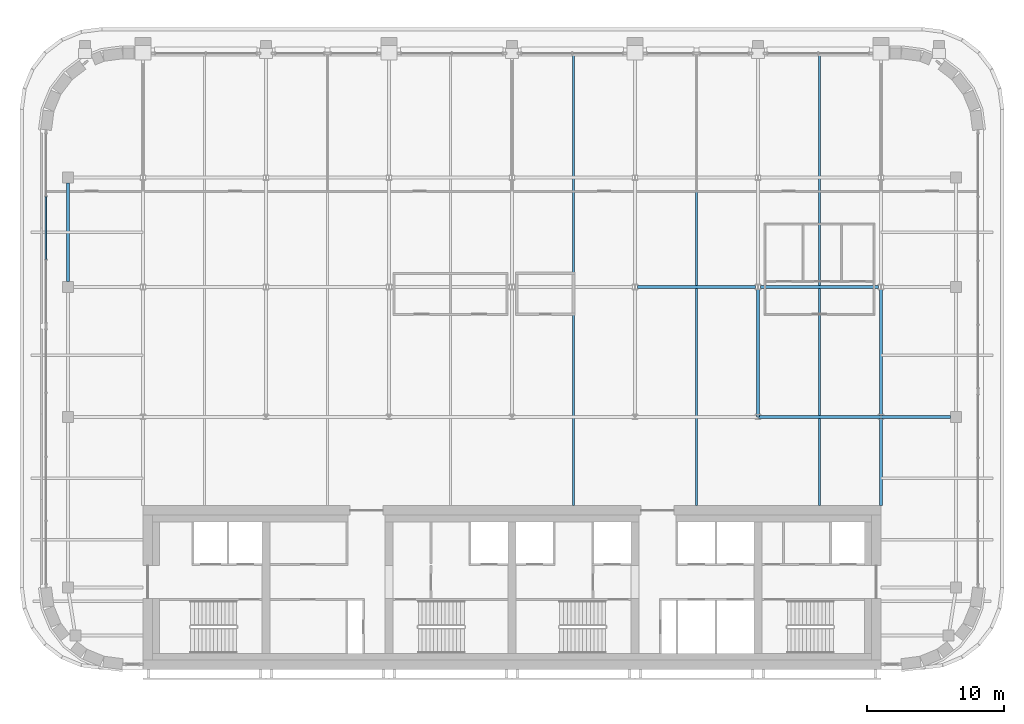
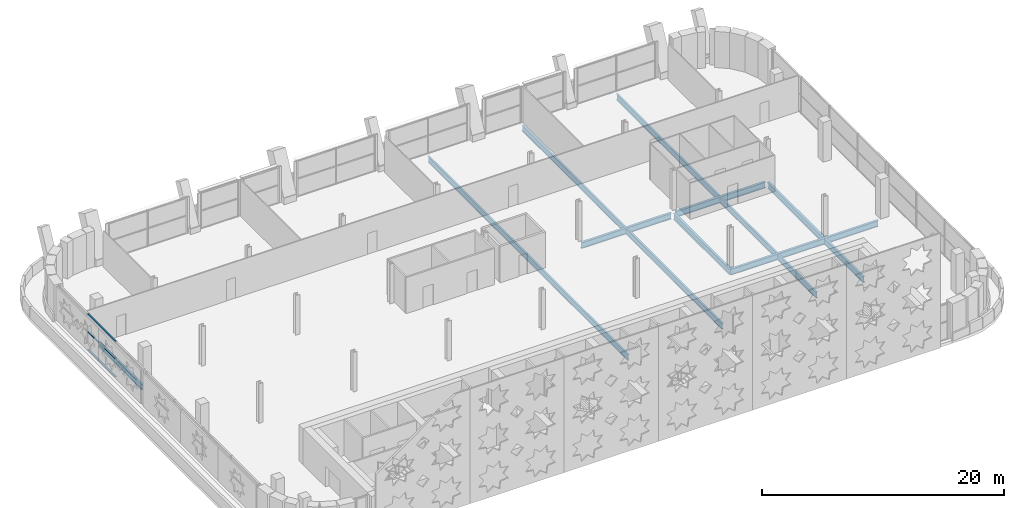
# One storey, part 8 of 25: 9 beams, 3 members, 1 element without a shape of its own.
"""IFC4 building model written with IfcOpenShell, lengths in metres."""

from ifc_helpers import new_model, si_unit, direction, frame, origin, origin_2d, place, context, subcontext, project, spatial, rectangle, i_section, extrude, material, material_profile, profile_set, type_object, element, aggregate, save


model = new_model("IFC4")

# Units and contexts
model_context = context("Model", 3, precision=1e-05, world=origin(), true_north=direction((0.0, 1.0)))
body_context = subcontext(model_context, "Body", "Model", "MODEL_VIEW")
ifc_project = project(units=[si_unit("LENGTHUNIT", "METRE"), si_unit("AREAUNIT", "SQUARE_METRE"), si_unit("VOLUMEUNIT", "CUBIC_METRE"), si_unit("PLANEANGLEUNIT", "RADIAN"), si_unit("MASSUNIT", "GRAM", prefix="KILO")], contexts=[model_context])

# Site, building, storey
site_placement = place(None, origin())
site = spatial("IfcSite", under=ifc_project, at=site_placement, CompositionType="ELEMENT")
building_placement = place(site_placement, origin())
building = spatial("IfcBuilding", under=site, at=building_placement, Name="Zellij Exchange Tower", CompositionType="ELEMENT")
storey_placement = place(building_placement, frame((0.0, 0.0, 264.5)))
storey = spatial("IfcBuildingStorey", under=building, at=storey_placement, Name="L62", CompositionType="ELEMENT", Elevation=264.5)

# Curtain wall, members
ifc_material_1 = material(Name="Aluminium frame, clear insulating glass", Category="aluminium")
curtain_wall_type = type_object("IfcCurtainWallType", Name="ENV-CW6 Sky-lobby glazing", PredefinedType="NOTDEFINED", material=ifc_material_1)
curtain_wall_placement = place(storey_placement, origin())
curtain_wall = element("IfcCurtainWall", 1, at=curtain_wall_placement, inside=storey, type_object=curtain_wall_type, Name="cw.L62.21a", PredefinedType="NOTDEFINED")
ifc_material_2 = material(Name="Aluminium", Category="aluminium")
ifc_material_profile_1 = material_profile(ifc_material_2, rectangle(XDim=0.139892578125, YDim=0.06005859375, at=origin_2d()), Name="AL 140x60")
ifc_profile_set_1 = profile_set([ifc_material_profile_1], Name="Aluminium")
member_type = type_object("IfcMemberType", Name="ENV-CW6T Transom 140x60", PredefinedType="USERDEFINED", material=ifc_profile_set_1)
member_1_placement = place(storey_placement, frame((-34.10009765625, 20.598876953125, 0.030029296875), z_axis=(0.0, -1.0, 0.0), x_axis=(1.0, 0.0, 0.0)))
member_1 = element("IfcMember", 2, at=member_1_placement, type_object=member_type, Name="CW6 transom 2.1", ObjectType="TRANSOM", PredefinedType="USERDEFINED", context=body_context, shape_type="SweptSolid", body=[
    extrude(rectangle(XDim=0.139892578125, YDim=0.06005859375, at=origin_2d()), origin(), (0.0, 0.0, 1.0), 4.5849609375),
])
member_2_placement = place(storey_placement, frame((-34.10009765625, 20.598876953125, 1.824951171875), z_axis=(0.0, -1.0, 0.0), x_axis=(1.0, 0.0, 0.0)))
member_2 = element("IfcMember", 3, at=member_2_placement, type_object=member_type, Name="CW6 transom 2.2", ObjectType="TRANSOM", PredefinedType="USERDEFINED", context=body_context, shape_type="SweptSolid", body=[
    extrude(rectangle(XDim=0.139892578125, YDim=0.06005859375, at=origin_2d()), origin(), (0.0, 0.0, 1.0), 4.5849609375),
])
member_3_placement = place(storey_placement, frame((-34.10009765625, 20.598876953125, 3.6201171875), z_axis=(0.0, -1.0, 0.0), x_axis=(1.0, 0.0, 0.0)))
member_3 = element("IfcMember", 4, at=member_3_placement, type_object=member_type, Name="CW6 transom 2.3", ObjectType="TRANSOM", PredefinedType="USERDEFINED", context=body_context, shape_type="SweptSolid", body=[
    extrude(rectangle(XDim=0.139892578125, YDim=0.06005859375, at=origin_2d()), origin(), (0.0, 0.0, 1.0), 4.5849609375),
])
aggregate(curtain_wall, [member_1, member_2, member_3])

# Beams
ifc_material_3 = material(Name="Structural steel ASTM A992 Gr 50", Category="steel")
ifc_material_profile_2 = material_profile(ifc_material_3, i_section(OverallWidth=0.177978515625, OverallDepth=0.599365234375, WebThickness=0.010009765625, FlangeThickness=0.012939453125, at=origin_2d()), Name="W24x55")
ifc_profile_set_2 = profile_set([ifc_material_profile_2], Name="Structural steel ASTM A992 Gr 50")
beam_type_1 = type_object("IfcBeamType", Name="STR-BEAM W24x55", PredefinedType="BEAM", material=ifc_profile_set_2)
for number, where, z_axis, x_axis, name in (
    (5, (4.5, -2.0, -0.599609375), (0.0, 1.0, 0.0), (-1.0, 0.0, 0.0), "B4"),
    (6, (13.5, -2.0, -0.599609375), (0.0, 1.0, 0.0), (-1.0, 0.0, 0.0), "B4"),
    (7, (22.5, -2.0, -0.599609375), (0.0, 1.0, 0.0), (-1.0, 0.0, 0.0), "B4"),
):
    element("IfcBeam", number, at=place(storey_placement, frame(where, z_axis=z_axis, x_axis=x_axis)), inside=storey, type_object=beam_type_1, Name=name, PredefinedType="BEAM", context=body_context, shape_type="SweptSolid", body=[
        extrude(i_section(OverallWidth=0.177978515625, OverallDepth=0.599365234375, WebThickness=0.010009765625, FlangeThickness=0.012939453125, at=origin_2d()), origin(), (0.0, 0.0, 1.0), 33.1142578125),
    ])
ifc_material_profile_3 = material_profile(ifc_material_3, i_section(OverallWidth=0.209228515625, OverallDepth=0.533447265625, WebThickness=0.01025390625, FlangeThickness=0.015625, at=origin_2d()), Name="W21x62")
ifc_profile_set_3 = profile_set([ifc_material_profile_3], Name="Structural steel ASTM A992 Gr 50")
beam_type_2 = type_object("IfcBeamType", Name="STR-EDGE GIRDER W21x62", PredefinedType="BEAM", material=ifc_profile_set_3)
beam_1_placement = place(storey_placement, frame((-32.5, 14.39990234375, -0.566650390625), z_axis=(0.0, 1.0, 0.0), x_axis=(-1.0, 0.0, 0.0)))
element("IfcBeam", 8, at=beam_1_placement, inside=storey, type_object=beam_type_2, Name="EB3", PredefinedType="BEAM", context=body_context, shape_type="SweptSolid", body=[
    extrude(i_section(OverallWidth=0.209228515625, OverallDepth=0.533447265625, WebThickness=0.01025390625, FlangeThickness=0.015625, at=origin_2d()), origin(), (0.0, 0.0, 1.0), 7.2001953125),
])
ifc_material_profile_4 = material_profile(ifc_material_3, i_section(OverallWidth=0.228271484375, OverallDepth=0.607177734375, WebThickness=0.01123046875, FlangeThickness=0.017333984375, at=origin_2d()), Name="W24x76")
ifc_profile_set_4 = profile_set([ifc_material_profile_4], Name="Structural steel ASTM A992 Gr 50")
beam_type_3 = type_object("IfcBeamType", Name="STR-GIRDER W24x76", PredefinedType="BEAM", material=ifc_profile_set_4)
beam_2_placement = place(storey_placement, frame((18.0, 4.5, -0.603515625), z_axis=(1.0, 0.0, 0.0), x_axis=(0.0, 1.0, 0.0)))
element("IfcBeam", 9, at=beam_2_placement, inside=storey, type_object=beam_type_3, Name="G2", PredefinedType="BEAM", context=body_context, shape_type="SweptSolid", body=[
    extrude(i_section(OverallWidth=0.228271484375, OverallDepth=0.607177734375, WebThickness=0.01123046875, FlangeThickness=0.017333984375, at=origin_2d()), origin(), (0.0, 0.0, 1.0), 14.10009765625),
])
for number, where, z_axis, x_axis, name in (
    (10, (9.199462890625, 14.0, -0.603515625), (1.0, 0.0, 0.0), (0.0, 1.0, 0.0), "G2"),
    (11, (18.199462890625, 14.0, -0.603515625), (1.0, 0.0, 0.0), (0.0, 1.0, 0.0), "G2"),
):
    element("IfcBeam", number, at=place(storey_placement, frame(where, z_axis=z_axis, x_axis=x_axis)), inside=storey, type_object=beam_type_3, Name=name, PredefinedType="BEAM", context=body_context, shape_type="SweptSolid", body=[
        extrude(i_section(OverallWidth=0.228271484375, OverallDepth=0.607177734375, WebThickness=0.01123046875, FlangeThickness=0.017333984375, at=origin_2d()), origin(), (0.0, 0.0, 1.0), 8.60107421875),
    ])
beam_3_placement = place(storey_placement, frame((18.0, 4.5, -0.603515625), z_axis=(0.0, 1.0, 0.0), x_axis=(-1.0, 0.0, 0.0)))
element("IfcBeam", 12, at=beam_3_placement, inside=storey, type_object=beam_type_3, Name="G2", PredefinedType="BEAM", context=body_context, shape_type="SweptSolid", body=[
    extrude(i_section(OverallWidth=0.228271484375, OverallDepth=0.607177734375, WebThickness=0.01123046875, FlangeThickness=0.017333984375, at=origin_2d()), origin(), (0.0, 0.0, 1.0), 9.306884765625),
])
beam_4_placement = place(storey_placement, frame((27.0, -2.0, -0.603515625), z_axis=(0.0, 1.0, 0.0), x_axis=(-1.0, 0.0, 0.0)))
element("IfcBeam", 13, at=beam_4_placement, inside=storey, type_object=beam_type_3, Name="G2", PredefinedType="BEAM", context=body_context, shape_type="SweptSolid", body=[
    extrude(i_section(OverallWidth=0.228271484375, OverallDepth=0.607177734375, WebThickness=0.01123046875, FlangeThickness=0.017333984375, at=origin_2d()), origin(), (0.0, 0.0, 1.0), 15.806884765625),
])

save(model, "model.ifc")
